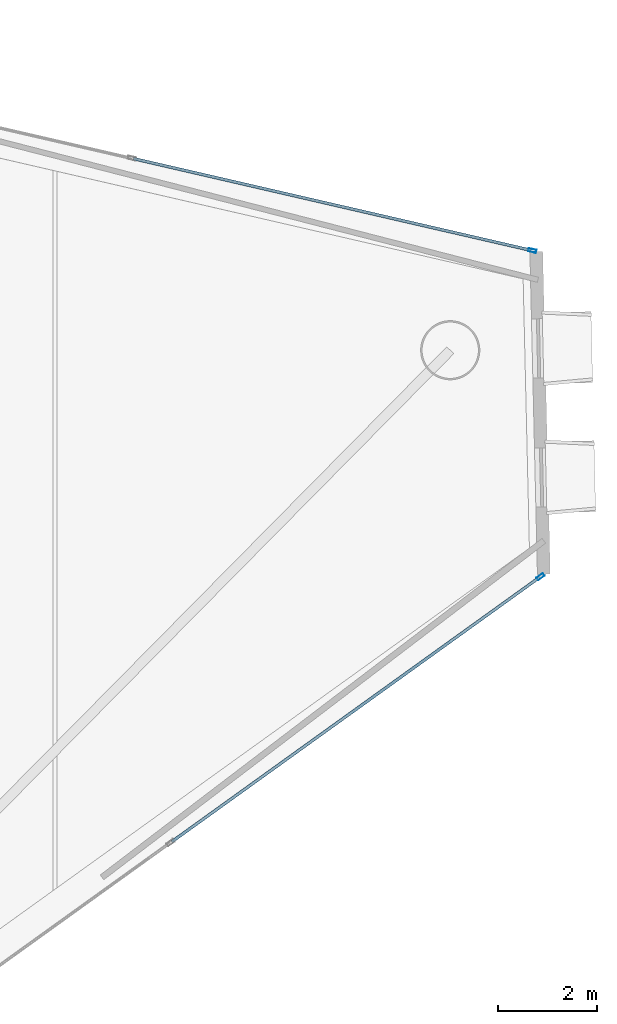
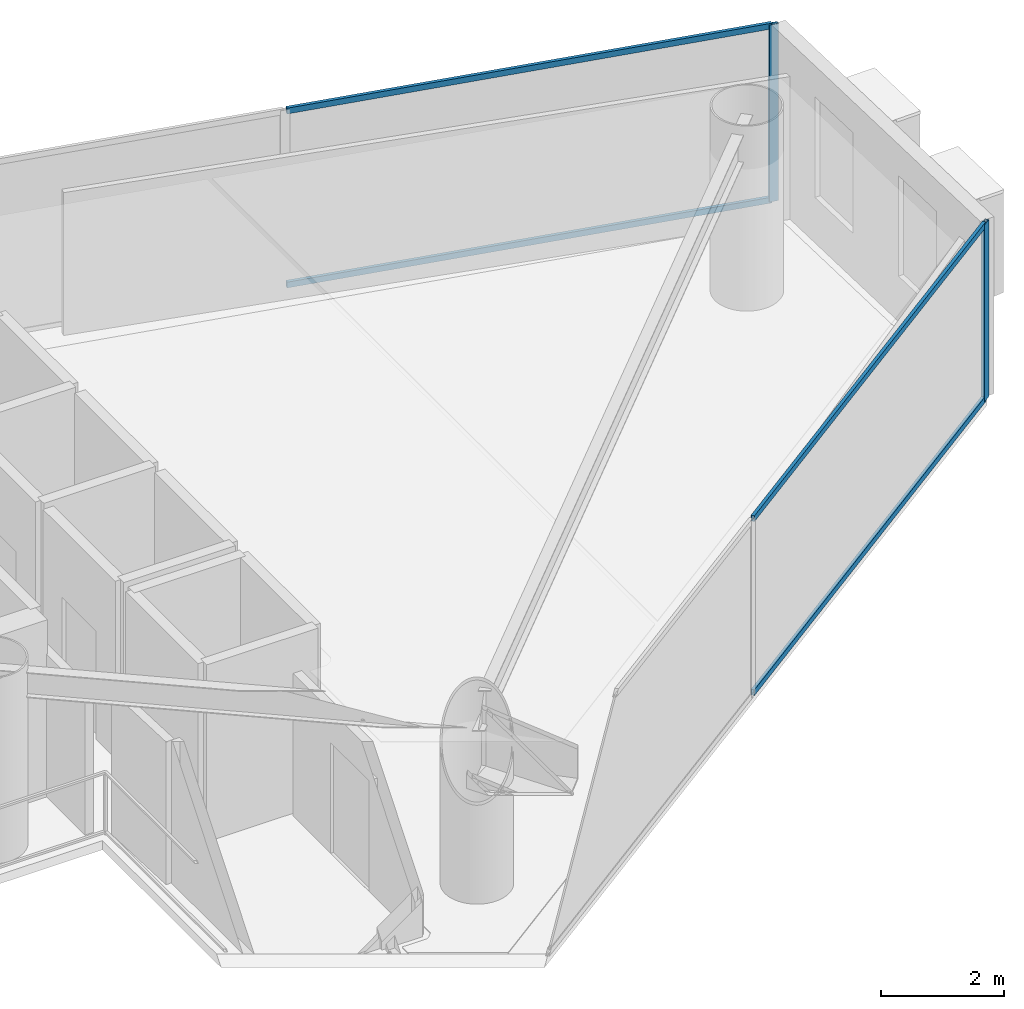
# One storey, part 14 of 22: 6 members, 2 elements without a shape of their own.
"""IFC4 building model written with IfcOpenShell, lengths in metres."""

from ifc_helpers import new_model, si_unit, direction, frame, origin, origin_2d, place, context, subcontext, project, spatial, hollow_rectangle, extrude, material, layer, layer_set, material_profile, profile_set, type_object, element, aggregate, save


model = new_model("IFC4")

# Units and contexts
model_context = context("Model", 3, precision=1e-05, world=origin(), true_north=direction((0.0, 1.0)))
body_context = subcontext(model_context, "Body", "Model", "MODEL_VIEW")
ifc_project = project(units=[si_unit("LENGTHUNIT", "METRE"), si_unit("AREAUNIT", "SQUARE_METRE"), si_unit("VOLUMEUNIT", "CUBIC_METRE"), si_unit("PLANEANGLEUNIT", "RADIAN"), si_unit("MASSUNIT", "GRAM", prefix="KILO")], contexts=[model_context])

# Site, building, storey
site_placement = place(None, origin())
site = spatial("IfcSite", under=ifc_project, at=site_placement, CompositionType="ELEMENT")
building_placement = place(site_placement, origin())
building = spatial("IfcBuilding", under=site, at=building_placement, Name="Qianvela Tower", CompositionType="ELEMENT")
storey_placement = place(building_placement, frame((0.0, 0.0, 204.0)))
storey = spatial("IfcBuildingStorey", under=building, at=storey_placement, Name="L52", CompositionType="ELEMENT", Elevation=204.0)

# Curtain wall, member
ifc_material_1 = material(Name="Anodised Architectural Aluminium and Low-E Glass", Category="aluminium")
ifc_layer = layer(ifc_material_1, 0.159912109375)
ifc_layer_set = layer_set([ifc_layer], Name="Anodised Architectural Aluminium and Low-E Glass")
curtain_wall_type = type_object("IfcCurtainWallType", Name="CW-COLIV-Z56", PredefinedType="USERDEFINED", material=ifc_layer_set)
curtain_wall_1_placement = place(storey_placement, origin())
curtain_wall_1 = element("IfcCurtainWall", 1, at=curtain_wall_1_placement, inside=storey, type_object=curtain_wall_type, Name="L52 CW-COLIV-Z56 Curtain Wall 02A", ObjectType="CURTAIN_WALL_SYSTEM", PredefinedType="USERDEFINED")
ifc_material_2 = material(Name="Anodised Architectural Aluminium 6063-T6", Category="aluminium")
ifc_material_profile_1 = material_profile(ifc_material_2, hollow_rectangle(XDim=0.06494140625, YDim=0.159912109375, WallThickness=0.0048828125, at=origin_2d()), Name="ALU-MULL-65x160")
ifc_profile_set_1 = profile_set([ifc_material_profile_1], Name="Anodised Architectural Aluminium 6063-T6")
member_type_1 = type_object("IfcMemberType", Name="CW-COLIV-Z56-MULL", PredefinedType="MULLION", material=ifc_profile_set_1)
member_1_placement = place(storey_placement, frame((58.560546875, 33.2880859375, 0.0), z_axis=(0.0, 0.0, 1.0), x_axis=(-0.224831551238, -0.974397646532, 0.0)))
member_1 = element("IfcMember", 2, at=member_1_placement, type_object=member_type_1, Name="CW-5 mullion 1", PredefinedType="MULLION", context=body_context, shape_type="SweptSolid", body=[
    extrude(hollow_rectangle(XDim=0.06494140625, YDim=0.159912109375, WallThickness=0.0048828125, at=origin_2d()), origin(), (0.0, 0.0, 1.0), 3.52001953125),
])

curtain_wall_2_placement = place(storey_placement, origin())
curtain_wall_2 = element("IfcCurtainWall", 3, at=curtain_wall_2_placement, inside=storey, type_object=curtain_wall_type, Name="L52 CW-COLIV-Z56 Curtain Wall 06B", ObjectType="CURTAIN_WALL_SYSTEM", PredefinedType="USERDEFINED")
member_2_placement = place(storey_placement, frame((58.726318359375, 26.68212890625, 0.0), z_axis=(0.0, 0.0, 1.0), x_axis=(-0.583724581505, 0.811951730676, 0.0)))
member_2 = element("IfcMember", 4, at=member_2_placement, type_object=member_type_1, Name="CW-5 mullion 4", PredefinedType="MULLION", context=body_context, shape_type="SweptSolid", body=[
    extrude(hollow_rectangle(XDim=0.06494140625, YDim=0.159912109375, WallThickness=0.0048828125, at=origin_2d()), origin(), (0.0, 0.0, 1.0), 3.52001953125),
])

# Member
ifc_material_3 = material(Name="Anodised Architectural Aluminium 6063-T6", Category="aluminium")
ifc_material_profile_2 = material_profile(ifc_material_3, hollow_rectangle(XDim=0.06005859375, YDim=0.114990234375, WallThickness=0.00390625, at=origin_2d()), Name="ALU-TRAN-60x115")
ifc_profile_set_2 = profile_set([ifc_material_profile_2], Name="Anodised Architectural Aluminium 6063-T6")
member_type_2 = type_object("IfcMemberType", Name="CW-COLIV-Z56-TRAN", PredefinedType="USERDEFINED", material=ifc_profile_set_2)
member_3_placement = place(storey_placement, frame((58.52880859375, 33.29541015625, 0.030029296875), z_axis=(-0.974398167182, 0.224829294784, 0.0), x_axis=(-0.224829294784, -0.974398167182, 0.0)))
member_3 = element("IfcMember", 5, at=member_3_placement, type_object=member_type_2, Name="CW-5 transom 1.1", ObjectType="TRANSOM", PredefinedType="USERDEFINED", context=body_context, shape_type="SweptSolid", body=[
    extrude(hollow_rectangle(XDim=0.06005859375, YDim=0.114990234375, WallThickness=0.00390625, at=origin_2d()), origin(), (0.0, 0.0, 1.0), 8.262451171875),
])

member_4_placement = place(storey_placement, frame((58.52880859375, 33.29541015625, 3.489990234375), z_axis=(-0.974398167182, 0.224829294784, 0.0), x_axis=(-0.224829294784, -0.974398167182, 0.0)))
member_4 = element("IfcMember", 6, at=member_4_placement, type_object=member_type_2, Name="CW-5 transom 1.2", ObjectType="TRANSOM", PredefinedType="USERDEFINED", context=body_context, shape_type="SweptSolid", body=[
    extrude(hollow_rectangle(XDim=0.06005859375, YDim=0.114990234375, WallThickness=0.00390625, at=origin_2d()), origin(), (0.0, 0.0, 1.0), 8.262451171875),
])

aggregate(curtain_wall_1, [member_1, member_3, member_4])

member_5_placement = place(storey_placement, frame((51.25830078125, 21.313232421875, 0.030029296875), z_axis=(0.811955006815, 0.58372002442, 0.0), x_axis=(-0.58372002442, 0.811955006815, 0.0)))
member_5 = element("IfcMember", 7, at=member_5_placement, type_object=member_type_2, Name="CW-5 transom 3.1", ObjectType="TRANSOM", PredefinedType="USERDEFINED", context=body_context, shape_type="SweptSolid", body=[
    extrude(hollow_rectangle(XDim=0.06005859375, YDim=0.114990234375, WallThickness=0.00390625, at=origin_2d()), origin(), (0.0, 0.0, 1.0), 9.1650390625),
])

member_6_placement = place(storey_placement, frame((51.25830078125, 21.313232421875, 3.489990234375), z_axis=(0.811955006815, 0.58372002442, 0.0), x_axis=(-0.58372002442, 0.811955006815, 0.0)))
member_6 = element("IfcMember", 8, at=member_6_placement, type_object=member_type_2, Name="CW-5 transom 3.2", ObjectType="TRANSOM", PredefinedType="USERDEFINED", context=body_context, shape_type="SweptSolid", body=[
    extrude(hollow_rectangle(XDim=0.06005859375, YDim=0.114990234375, WallThickness=0.00390625, at=origin_2d()), origin(), (0.0, 0.0, 1.0), 9.1650390625),
])

aggregate(curtain_wall_2, [member_2, member_5, member_6])

save(model, "model.ifc")
